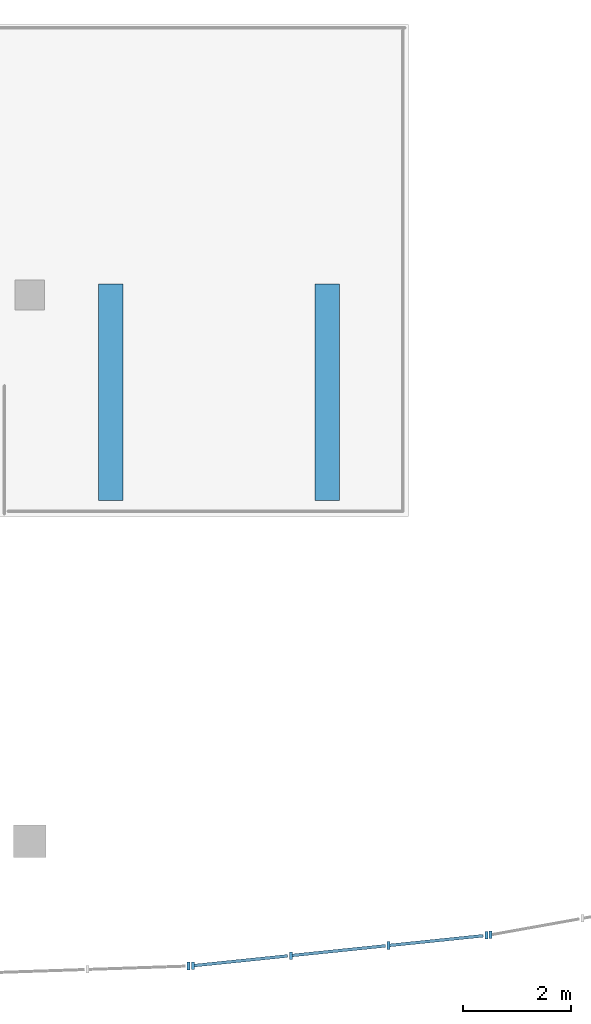
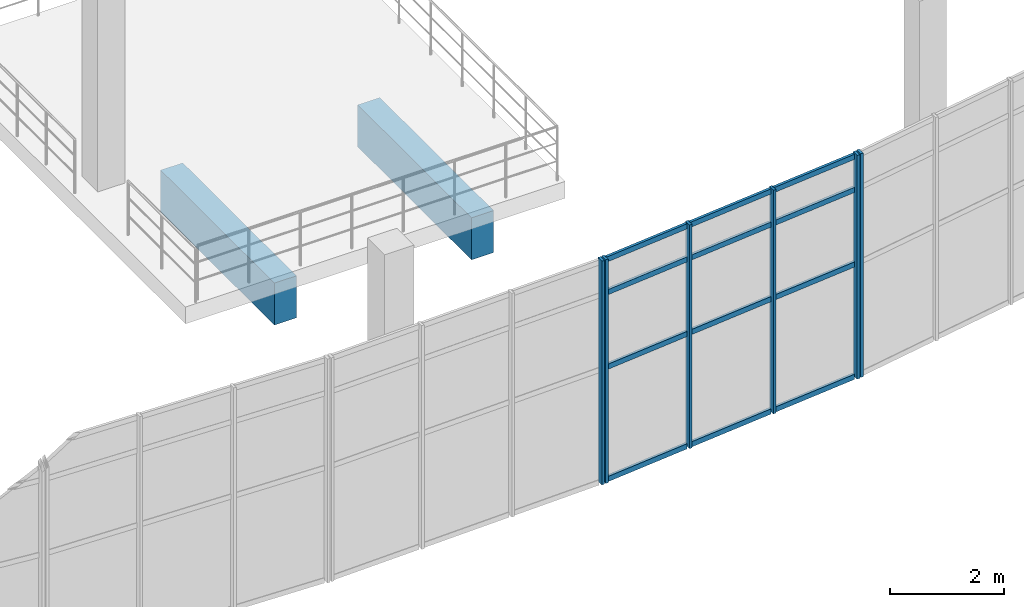
# One storey, part 19 of 52: 18 members, 2 beams, 3 elements without a shape of their own.
"""IFC4 building model written with IfcOpenShell, lengths in metres."""

from ifc_helpers import new_model, si_unit, direction, frame, origin, origin_2d, place, context, subcontext, project, spatial, rectangle, extrude, material, material_profile, profile_set, type_object, element, aggregate, save


model = new_model("IFC4")

# Units and contexts
model_context = context("Model", 3, precision=1e-05, world=origin(), true_north=direction((0.0, 1.0)))
body_context = subcontext(model_context, "Body", "Model", "MODEL_VIEW")
ifc_project = project(units=[si_unit("LENGTHUNIT", "METRE"), si_unit("AREAUNIT", "SQUARE_METRE"), si_unit("VOLUMEUNIT", "CUBIC_METRE"), si_unit("PLANEANGLEUNIT", "RADIAN"), si_unit("MASSUNIT", "GRAM", prefix="KILO"), si_unit("THERMODYNAMICTEMPERATUREUNIT", "KELVIN"), si_unit("POWERUNIT", "WATT")], contexts=[model_context])

# Site, building, storey
site_placement = place(None, origin())
site = spatial("IfcSite", under=ifc_project, at=site_placement, CompositionType="ELEMENT")
building_placement = place(site_placement, origin())
building = spatial("IfcBuilding", under=site, at=building_placement, Name="Solmara Park Aquatics Centre", CompositionType="ELEMENT")
storey_placement = place(building_placement, frame((0.0, 0.0, 9.60009765625)))
storey = spatial("IfcBuildingStorey", under=building, at=storey_placement, Name="L02", CompositionType="ELEMENT", Elevation=9.60009765625)

# Curtain wall, member
ifc_material_1 = material(Name="Anodised Aluminium Curtain Wall Framing", Category="aluminium")
curtain_wall_type = type_object("IfcCurtainWallType", Name="ARC-CW-SYS03", PredefinedType="USERDEFINED", material=ifc_material_1)
curtain_wall_1_placement = place(storey_placement, origin())
curtain_wall_1 = element("IfcCurtainWall", 1, at=curtain_wall_1_placement, inside=storey, type_object=curtain_wall_type, Name="Curtain Wall CW-048", ObjectType="CURTAIN WALL", PredefinedType="USERDEFINED")
ifc_material_2 = material(Name="Anodised Aluminium Alloy 6063-T6", Category="aluminium")
ifc_material_profile_1 = material_profile(ifc_material_2, rectangle(XDim=0.054931640625, YDim=0.139892578125, at=origin_2d()), Name="ALU MULLION 55x140")
ifc_profile_set_1 = profile_set([ifc_material_profile_1], Name="Anodised Aluminium Alloy 6063-T6")
member_type_1 = type_object("IfcMemberType", Name="ARC-CWM-55x140", PredefinedType="MULLION", material=ifc_profile_set_1)
member_1_placement = place(storey_placement, frame((134.938232421875, 0.190185546875, 0.0), z_axis=(0.0, 0.0, 1.0), x_axis=(1.0, 0.0, 0.0)))
member_1 = element("IfcMember", 2, at=member_1_placement, type_object=member_type_1, Name="CW-048 mullion 4", PredefinedType="MULLION", context=body_context, shape_type="SweptSolid", body=[
    extrude(rectangle(XDim=0.054931640625, YDim=0.139892578125, at=origin_2d()), origin(), (0.0, 0.0, 1.0), 4.7998046875),
])
aggregate(curtain_wall_1, [member_1])

# Curtain wall, members
curtain_wall_2_placement = place(storey_placement, origin())
curtain_wall_2 = element("IfcCurtainWall", 3, at=curtain_wall_2_placement, inside=storey, type_object=curtain_wall_type, Name="Curtain Wall CW-051", ObjectType="CURTAIN WALL", PredefinedType="USERDEFINED")
member_2_placement = place(storey_placement, frame((135.01806640625, 0.195556640625, 0.0), z_axis=(0.0, 0.0, 1.0), x_axis=(1.0, 0.0, 0.0)))
member_2 = element("IfcMember", 4, at=member_2_placement, type_object=member_type_1, Name="CW-051 mullion 1", PredefinedType="MULLION", context=body_context, shape_type="SweptSolid", body=[
    extrude(rectangle(XDim=0.054931640625, YDim=0.139892578125, at=origin_2d()), origin(), (0.0, 0.0, 1.0), 4.7998046875),
])
member_3_placement = place(storey_placement, frame((136.826904296875, 0.38232421875, 0.0), z_axis=(0.0, 0.0, 1.0), x_axis=(1.0, 0.0, 0.0)))
member_3 = element("IfcMember", 5, at=member_3_placement, type_object=member_type_1, Name="CW-051 mullion 2", PredefinedType="MULLION", context=body_context, shape_type="SweptSolid", body=[
    extrude(rectangle(XDim=0.054931640625, YDim=0.139892578125, at=origin_2d()), origin(), (0.0, 0.0, 1.0), 4.7998046875),
])
member_4_placement = place(storey_placement, frame((138.635498046875, 0.569091796875, 0.0), z_axis=(0.0, 0.0, 1.0), x_axis=(1.0, 0.0, 0.0)))
member_4 = element("IfcMember", 6, at=member_4_placement, type_object=member_type_1, Name="CW-051 mullion 3", PredefinedType="MULLION", context=body_context, shape_type="SweptSolid", body=[
    extrude(rectangle(XDim=0.054931640625, YDim=0.139892578125, at=origin_2d()), origin(), (0.0, 0.0, 1.0), 4.7998046875),
])
member_5_placement = place(storey_placement, frame((140.4443359375, 0.755859375, 0.0), z_axis=(0.0, 0.0, 1.0), x_axis=(1.0, 0.0, 0.0)))
member_5 = element("IfcMember", 7, at=member_5_placement, type_object=member_type_1, Name="CW-051 mullion 4", PredefinedType="MULLION", context=body_context, shape_type="SweptSolid", body=[
    extrude(rectangle(XDim=0.054931640625, YDim=0.139892578125, at=origin_2d()), origin(), (0.0, 0.0, 1.0), 4.7998046875),
])

# Curtain wall, member
curtain_wall_3_placement = place(storey_placement, origin())
curtain_wall_3 = element("IfcCurtainWall", 8, at=curtain_wall_3_placement, inside=storey, type_object=curtain_wall_type, Name="Curtain Wall CW-054", ObjectType="CURTAIN WALL", PredefinedType="USERDEFINED")
member_6_placement = place(storey_placement, frame((140.5234375, 0.76708984375, 0.0), z_axis=(0.0, 0.0, 1.0), x_axis=(1.0, 0.0, 0.0)))
member_6 = element("IfcMember", 9, at=member_6_placement, type_object=member_type_1, Name="CW-054 mullion 1", PredefinedType="MULLION", context=body_context, shape_type="SweptSolid", body=[
    extrude(rectangle(XDim=0.054931640625, YDim=0.139892578125, at=origin_2d()), origin(), (0.0, 0.0, 1.0), 4.7998046875),
])
aggregate(curtain_wall_3, [member_6])

# Member
ifc_material_profile_2 = material_profile(ifc_material_2, rectangle(XDim=0.054931640625, YDim=0.110107421875, at=origin_2d()), Name="ALU TRANSOM 55x110")
ifc_profile_set_2 = profile_set([ifc_material_profile_2], Name="Anodised Aluminium Alloy 6063-T6")
member_type_2 = type_object("IfcMemberType", Name="ARC-CWT-55x110", PredefinedType="USERDEFINED", material=ifc_profile_set_2)
member_7_placement = place(storey_placement, frame((135.0380859375, 0.197509765625, 0.039794921875), z_axis=(0.994700713096, 0.102812894943, 0.0), x_axis=(-0.102812894943, 0.994700713096, 0.0)))
member_7 = element("IfcMember", 10, at=member_7_placement, type_object=member_type_2, Name="CW-051 transom 1", ObjectType="TRANSOM", PredefinedType="USERDEFINED", context=body_context, shape_type="SweptSolid", body=[
    extrude(rectangle(XDim=0.054931640625, YDim=0.110107421875, at=origin_2d()), origin(), (0.0, 0.0, 1.0), 1.73828125),
])

member_8_placement = place(storey_placement, frame((135.0380859375, 0.197509765625, 2.449951171875), z_axis=(0.994700713096, 0.102812894943, 0.0), x_axis=(-0.102812894943, 0.994700713096, 0.0)))
member_8 = element("IfcMember", 11, at=member_8_placement, type_object=member_type_2, Name="CW-051 transom 2", ObjectType="TRANSOM", PredefinedType="USERDEFINED", context=body_context, shape_type="SweptSolid", body=[
    extrude(rectangle(XDim=0.054931640625, YDim=0.110107421875, at=origin_2d()), origin(), (0.0, 0.0, 1.0), 1.73828125),
])

member_9_placement = place(storey_placement, frame((135.0380859375, 0.197509765625, 4.0498046875), z_axis=(0.994700713096, 0.102812894943, 0.0), x_axis=(-0.102812894943, 0.994700713096, 0.0)))
member_9 = element("IfcMember", 12, at=member_9_placement, type_object=member_type_2, Name="CW-051 transom 3", ObjectType="TRANSOM", PredefinedType="USERDEFINED", context=body_context, shape_type="SweptSolid", body=[
    extrude(rectangle(XDim=0.054931640625, YDim=0.110107421875, at=origin_2d()), origin(), (0.0, 0.0, 1.0), 1.73828125),
])

member_10_placement = place(storey_placement, frame((135.0380859375, 0.197509765625, 4.760009765625), z_axis=(0.994700713096, 0.102812894943, 0.0), x_axis=(-0.102812894943, 0.994700713096, 0.0)))
member_10 = element("IfcMember", 13, at=member_10_placement, type_object=member_type_2, Name="CW-051 transom 4", ObjectType="TRANSOM", PredefinedType="USERDEFINED", context=body_context, shape_type="SweptSolid", body=[
    extrude(rectangle(XDim=0.054931640625, YDim=0.110107421875, at=origin_2d()), origin(), (0.0, 0.0, 1.0), 1.73828125),
])

member_11_placement = place(storey_placement, frame((136.8466796875, 0.38427734375, 0.039794921875), z_axis=(0.994702197461, 0.102798532901, 0.0), x_axis=(-0.102798532901, 0.994702197461, 0.0)))
member_11 = element("IfcMember", 14, at=member_11_placement, type_object=member_type_2, Name="CW-051 transom 5", ObjectType="TRANSOM", PredefinedType="USERDEFINED", context=body_context, shape_type="SweptSolid", body=[
    extrude(rectangle(XDim=0.054931640625, YDim=0.110107421875, at=origin_2d()), origin(), (0.0, 0.0, 1.0), 1.738525390625),
])

member_12_placement = place(storey_placement, frame((136.8466796875, 0.38427734375, 2.449951171875), z_axis=(0.994702197461, 0.102798532901, 0.0), x_axis=(-0.102798532901, 0.994702197461, 0.0)))
member_12 = element("IfcMember", 15, at=member_12_placement, type_object=member_type_2, Name="CW-051 transom 6", ObjectType="TRANSOM", PredefinedType="USERDEFINED", context=body_context, shape_type="SweptSolid", body=[
    extrude(rectangle(XDim=0.054931640625, YDim=0.110107421875, at=origin_2d()), origin(), (0.0, 0.0, 1.0), 1.738525390625),
])

member_13_placement = place(storey_placement, frame((136.8466796875, 0.38427734375, 4.0498046875), z_axis=(0.994702197461, 0.102798532901, 0.0), x_axis=(-0.102798532901, 0.994702197461, 0.0)))
member_13 = element("IfcMember", 16, at=member_13_placement, type_object=member_type_2, Name="CW-051 transom 7", ObjectType="TRANSOM", PredefinedType="USERDEFINED", context=body_context, shape_type="SweptSolid", body=[
    extrude(rectangle(XDim=0.054931640625, YDim=0.110107421875, at=origin_2d()), origin(), (0.0, 0.0, 1.0), 1.738525390625),
])

member_14_placement = place(storey_placement, frame((136.8466796875, 0.38427734375, 4.760009765625), z_axis=(0.994702197461, 0.102798532901, 0.0), x_axis=(-0.102798532901, 0.994702197461, 0.0)))
member_14 = element("IfcMember", 17, at=member_14_placement, type_object=member_type_2, Name="CW-051 transom 8", ObjectType="TRANSOM", PredefinedType="USERDEFINED", context=body_context, shape_type="SweptSolid", body=[
    extrude(rectangle(XDim=0.054931640625, YDim=0.110107421875, at=origin_2d()), origin(), (0.0, 0.0, 1.0), 1.738525390625),
])

member_15_placement = place(storey_placement, frame((138.655517578125, 0.571044921875, 0.039794921875), z_axis=(0.994715067632, 0.102673921836, 0.0), x_axis=(-0.102673921836, 0.994715067632, 0.0)))
member_15 = element("IfcMember", 18, at=member_15_placement, type_object=member_type_2, Name="CW-051 transom 9", ObjectType="TRANSOM", PredefinedType="USERDEFINED", context=body_context, shape_type="SweptSolid", body=[
    extrude(rectangle(XDim=0.054931640625, YDim=0.110107421875, at=origin_2d()), origin(), (0.0, 0.0, 1.0), 1.73828125),
])

member_16_placement = place(storey_placement, frame((138.655517578125, 0.571044921875, 2.449951171875), z_axis=(0.994715067632, 0.102673921836, 0.0), x_axis=(-0.102673921836, 0.994715067632, 0.0)))
member_16 = element("IfcMember", 19, at=member_16_placement, type_object=member_type_2, Name="CW-051 transom 10", ObjectType="TRANSOM", PredefinedType="USERDEFINED", context=body_context, shape_type="SweptSolid", body=[
    extrude(rectangle(XDim=0.054931640625, YDim=0.110107421875, at=origin_2d()), origin(), (0.0, 0.0, 1.0), 1.73828125),
])

member_17_placement = place(storey_placement, frame((138.655517578125, 0.571044921875, 4.0498046875), z_axis=(0.994715067632, 0.102673921836, 0.0), x_axis=(-0.102673921836, 0.994715067632, 0.0)))
member_17 = element("IfcMember", 20, at=member_17_placement, type_object=member_type_2, Name="CW-051 transom 11", ObjectType="TRANSOM", PredefinedType="USERDEFINED", context=body_context, shape_type="SweptSolid", body=[
    extrude(rectangle(XDim=0.054931640625, YDim=0.110107421875, at=origin_2d()), origin(), (0.0, 0.0, 1.0), 1.73828125),
])

member_18_placement = place(storey_placement, frame((138.655517578125, 0.571044921875, 4.760009765625), z_axis=(0.994715067632, 0.102673921836, 0.0), x_axis=(-0.102673921836, 0.994715067632, 0.0)))
member_18 = element("IfcMember", 21, at=member_18_placement, type_object=member_type_2, Name="CW-051 transom 12", ObjectType="TRANSOM", PredefinedType="USERDEFINED", context=body_context, shape_type="SweptSolid", body=[
    extrude(rectangle(XDim=0.054931640625, YDim=0.110107421875, at=origin_2d()), origin(), (0.0, 0.0, 1.0), 1.73828125),
])

aggregate(curtain_wall_2, [member_2, member_3, member_4, member_5, member_7, member_8, member_9, member_10, member_11, member_12, member_13, member_14, member_15, member_16, member_17, member_18])

# Beams
ifc_material_3 = material(Name="Concrete C40/50", Category="concrete")
ifc_material_profile_3 = material_profile(ifc_material_3, rectangle(XDim=0.449951171875, YDim=0.89990234375, at=origin_2d()), Name="RC 450x900")
ifc_profile_set_3 = profile_set([ifc_material_profile_3], Name="Concrete C40/50")
beam_type = type_object("IfcBeamType", Name="STR-BM-RC450x900", PredefinedType="BEAM", material=ifc_profile_set_3)
for number, where, z_axis, x_axis, name in (
    (22, (133.5, 8.800048828125, -0.81005859375), (0.0, 1.0, 0.0), (-1.0, 0.0, 0.0), "Diving Platform Support Beam SLB-DIV-10M-1"),
    (23, (137.5, 8.800048828125, -0.81005859375), (0.0, 1.0, 0.0), (-1.0, 0.0, 0.0), "Diving Platform Support Beam SLB-DIV-10M-2"),
):
    element("IfcBeam", number, at=place(storey_placement, frame(where, z_axis=z_axis, x_axis=x_axis)), inside=storey, type_object=beam_type, Name=name, PredefinedType="BEAM", context=body_context, shape_type="SweptSolid", body=[
        extrude(rectangle(XDim=0.449951171875, YDim=0.89990234375, at=origin_2d()), origin(), (0.0, 0.0, 1.0), 4.0),
    ])

save(model, "model.ifc")
